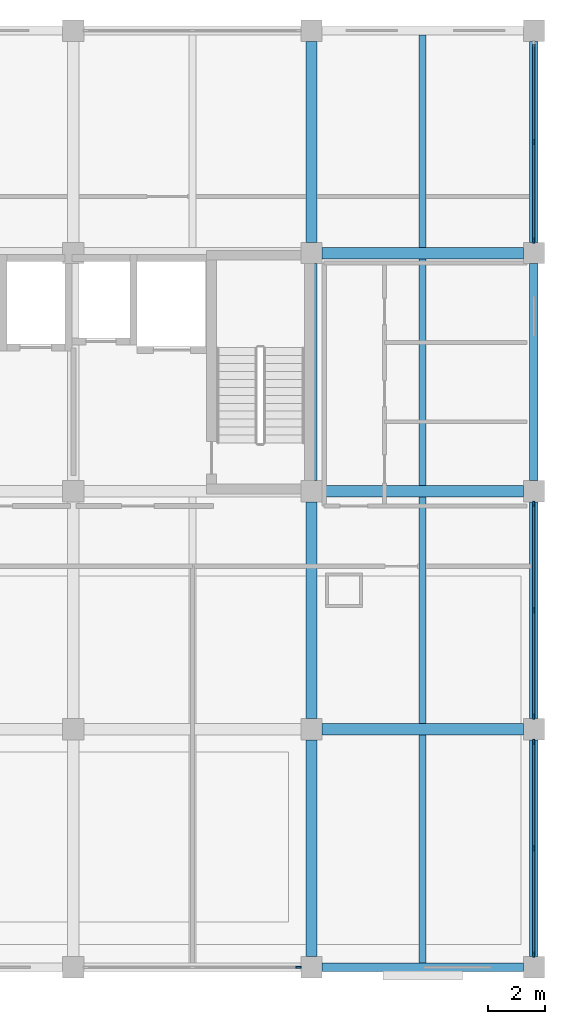
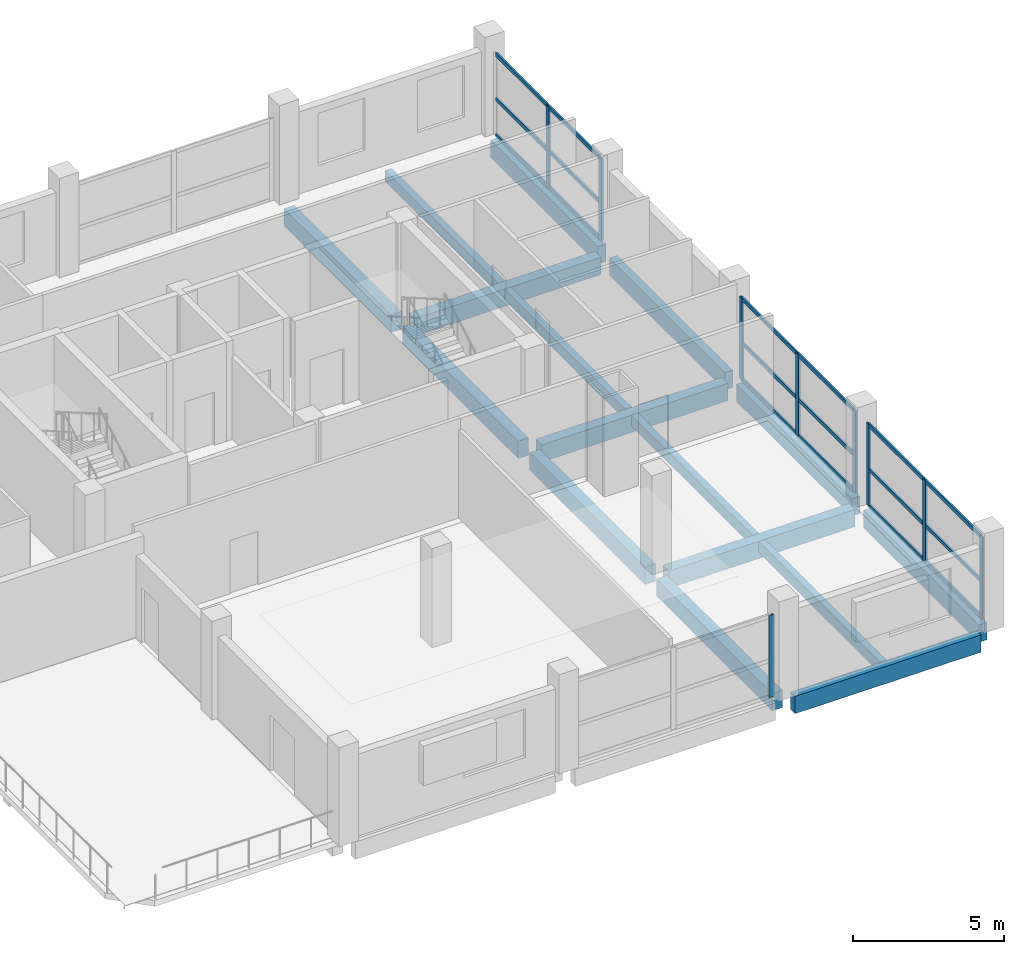
# One storey, part 4 of 10: 27 members, 16 beams, 4 elements without a shape of their own.
"""IFC4 building model written with IfcOpenShell, lengths in metres."""

from ifc_helpers import new_model, si_unit, direction, frame, origin, origin_2d, place, context, subcontext, project, spatial, rectangle, extrude, material, material_profile, profile_set, type_object, element, aggregate, save


model = new_model("IFC4")

# Units and contexts
model_context = context("Model", 3, precision=1e-05, world=origin(), true_north=direction((0.0, 1.0)))
body_context = subcontext(model_context, "Body", "Model", "MODEL_VIEW")
ifc_project = project(units=[si_unit("LENGTHUNIT", "METRE"), si_unit("AREAUNIT", "SQUARE_METRE"), si_unit("VOLUMEUNIT", "CUBIC_METRE"), si_unit("PLANEANGLEUNIT", "RADIAN"), si_unit("MASSUNIT", "GRAM", prefix="KILO")], contexts=[model_context])

# Site, building, storey
site_placement = place(None, origin())
site = spatial("IfcSite", under=ifc_project, at=site_placement, CompositionType="ELEMENT")
building_placement = place(site_placement, origin())
building = spatial("IfcBuilding", under=site, at=building_placement, Name="Brinegate Botanical Conservatory", CompositionType="ELEMENT")
storey_placement = place(building_placement, frame((0.0, 0.0, 44.39990234375)))
storey = spatial("IfcBuildingStorey", under=building, at=storey_placement, Name="L11", CompositionType="ELEMENT", Elevation=44.39990234375)

# Beams
ifc_material_1 = material(Name="Concrete C40/50", Category="concrete")
ifc_material_profile_1 = material_profile(ifc_material_1, rectangle(XDim=0.39990234375, YDim=0.699951171875, at=origin_2d()), Name="RC BM 400x700")
ifc_profile_set_1 = profile_set([ifc_material_profile_1], Name="Concrete C40/50")
beam_type_1 = type_object("IfcBeamType", Name="Beam_BM-T2", PredefinedType="BEAM", material=ifc_profile_set_1)
for number, where, z_axis, x_axis, name in (
    (1, (155.97509765625, 86.800048828125, -0.5498046875), (1.0, 0.0, 0.0), (0.0, 1.0, 0.0), "Beam BM-T2 L11 L:20-21"),
    (2, (155.97509765625, 95.199951171875, -0.5498046875), (1.0, 0.0, 0.0), (0.0, 1.0, 0.0), "Beam BM-T2 L11 M:20-21"),
    (3, (155.97509765625, 103.60009765625, -0.5498046875), (1.0, 0.0, 0.0), (0.0, 1.0, 0.0), "Beam BM-T2 L11 N:20-21"),
):
    element("IfcBeam", number, at=place(storey_placement, frame(where, z_axis=z_axis, x_axis=x_axis)), inside=storey, type_object=beam_type_1, Name=name, PredefinedType="BEAM", context=body_context, shape_type="SweptSolid", body=[
        extrude(rectangle(XDim=0.39990234375, YDim=0.699951171875, at=origin_2d()), origin(), (0.0, 0.0, 1.0), 7.099853515625),
    ])
beam_1_placement = place(storey_placement, frame((155.60009765625, 78.77490234375, -0.5498046875), z_axis=(0.0, 1.0, 0.0), x_axis=(-1.0, 0.0, 0.0)))
element("IfcBeam", 4, at=beam_1_placement, inside=storey, type_object=beam_type_1, Name="Beam BM-T2 L11 20:K-L", PredefinedType="BEAM", context=body_context, shape_type="SweptSolid", body=[
    extrude(rectangle(XDim=0.39990234375, YDim=0.699951171875, at=origin_2d()), origin(), (0.0, 0.0, 1.0), 7.650146484375),
])
beam_2_placement = place(storey_placement, frame((155.60009765625, 87.175048828125, -0.5498046875), z_axis=(0.0, 1.0, 0.0), x_axis=(-1.0, 0.0, 0.0)))
element("IfcBeam", 5, at=beam_2_placement, inside=storey, type_object=beam_type_1, Name="Beam BM-T2 L11 20:L-M", PredefinedType="BEAM", context=body_context, shape_type="SweptSolid", body=[
    extrude(rectangle(XDim=0.39990234375, YDim=0.699951171875, at=origin_2d()), origin(), (0.0, 0.0, 1.0), 7.64990234375),
])
beam_3_placement = place(storey_placement, frame((155.60009765625, 95.574951171875, -0.5498046875), z_axis=(0.0, 1.0, 0.0), x_axis=(-1.0, 0.0, 0.0)))
element("IfcBeam", 6, at=beam_3_placement, inside=storey, type_object=beam_type_1, Name="Beam BM-T2 L11 20:M-N", PredefinedType="BEAM", context=body_context, shape_type="SweptSolid", body=[
    extrude(rectangle(XDim=0.39990234375, YDim=0.699951171875, at=origin_2d()), origin(), (0.0, 0.0, 1.0), 7.650146484375),
])
beam_4_placement = place(storey_placement, frame((155.60009765625, 103.97509765625, -0.5498046875), z_axis=(0.0, 1.0, 0.0), x_axis=(-1.0, 0.0, 0.0)))
element("IfcBeam", 7, at=beam_4_placement, inside=storey, type_object=beam_type_1, Name="Beam BM-T2 L11 20:N-P", PredefinedType="BEAM", context=body_context, shape_type="SweptSolid", body=[
    extrude(rectangle(XDim=0.39990234375, YDim=0.699951171875, at=origin_2d()), origin(), (0.0, 0.0, 1.0), 7.099853515625),
])
ifc_material_profile_2 = material_profile(ifc_material_1, rectangle(XDim=0.25, YDim=0.449951171875, at=origin_2d()), Name="RC JST 250x450")
ifc_profile_set_2 = profile_set([ifc_material_profile_2], Name="Concrete C40/50")
beam_type_2 = type_object("IfcBeamType", Name="Beam_JS-C3", PredefinedType="JOIST", material=ifc_profile_set_2)
beam_5_placement = place(storey_placement, frame((159.52490234375, 78.550048828125, -0.4248046875), z_axis=(0.0, 1.0, 0.0), x_axis=(-1.0, 0.0, 0.0)))
element("IfcBeam", 8, at=beam_5_placement, inside=storey, type_object=beam_type_2, Name="Floor joist JS-C3 L11 bay 20.10", PredefinedType="JOIST", context=body_context, shape_type="SweptSolid", body=[
    extrude(rectangle(XDim=0.25, YDim=0.449951171875, at=origin_2d()), origin(), (0.0, 0.0, 1.0), 8.050048828125),
])
for number, where, z_axis, x_axis, name in (
    (9, (159.52490234375, 87.0, -0.4248046875), (0.0, 1.0, 0.0), (-1.0, 0.0, 0.0), "Floor joist JS-C3 L11 bay 20.11"),
    (10, (159.52490234375, 95.39990234375, -0.4248046875), (0.0, 1.0, 0.0), (-1.0, 0.0, 0.0), "Floor joist JS-C3 L11 bay 20.12"),
):
    element("IfcBeam", number, at=place(storey_placement, frame(where, z_axis=z_axis, x_axis=x_axis)), inside=storey, type_object=beam_type_2, Name=name, PredefinedType="JOIST", context=body_context, shape_type="SweptSolid", body=[
        extrude(rectangle(XDim=0.25, YDim=0.449951171875, at=origin_2d()), origin(), (0.0, 0.0, 1.0), 8.0),
    ])
beam_6_placement = place(storey_placement, frame((159.52490234375, 103.800048828125, -0.4248046875), z_axis=(0.0, 1.0, 0.0), x_axis=(-1.0, 0.0, 0.0)))
element("IfcBeam", 11, at=beam_6_placement, inside=storey, type_object=beam_type_2, Name="Floor joist JS-C3 L11 bay 20.13", PredefinedType="JOIST", context=body_context, shape_type="SweptSolid", body=[
    extrude(rectangle(XDim=0.25, YDim=0.449951171875, at=origin_2d()), origin(), (0.0, 0.0, 1.0), 7.5),
])
ifc_material_profile_3 = material_profile(ifc_material_1, rectangle(XDim=0.300048828125, YDim=0.699951171875, at=origin_2d()), Name="RC SPN 300x700")
ifc_profile_set_3 = profile_set([ifc_material_profile_3], Name="Concrete C40/50")
beam_type_3 = type_object("IfcBeamType", Name="Beam_SP-02", PredefinedType="SPANDREL", material=ifc_profile_set_3)
beam_7_placement = place(storey_placement, frame((155.97509765625, 78.39990234375, -0.5498046875), z_axis=(1.0, 0.0, 0.0), x_axis=(0.0, 1.0, 0.0)))
element("IfcBeam", 12, at=beam_7_placement, inside=storey, type_object=beam_type_3, Name="Beam SP-02 L11 K:20-21", PredefinedType="SPANDREL", context=body_context, shape_type="SweptSolid", body=[
    extrude(rectangle(XDim=0.300048828125, YDim=0.699951171875, at=origin_2d()), origin(), (0.0, 0.0, 1.0), 7.099853515625),
])
beam_8_placement = place(storey_placement, frame((163.449951171875, 78.77490234375, -0.5498046875), z_axis=(0.0, 1.0, 0.0), x_axis=(-1.0, 0.0, 0.0)))
element("IfcBeam", 13, at=beam_8_placement, inside=storey, type_object=beam_type_3, Name="Beam SP-02 L11 21:K-L", PredefinedType="SPANDREL", context=body_context, shape_type="SweptSolid", body=[
    extrude(rectangle(XDim=0.300048828125, YDim=0.699951171875, at=origin_2d()), origin(), (0.0, 0.0, 1.0), 7.650146484375),
])
beam_9_placement = place(storey_placement, frame((163.449951171875, 87.175048828125, -0.5498046875), z_axis=(0.0, 1.0, 0.0), x_axis=(-1.0, 0.0, 0.0)))
element("IfcBeam", 14, at=beam_9_placement, inside=storey, type_object=beam_type_3, Name="Beam SP-02 L11 21:L-M", PredefinedType="SPANDREL", context=body_context, shape_type="SweptSolid", body=[
    extrude(rectangle(XDim=0.300048828125, YDim=0.699951171875, at=origin_2d()), origin(), (0.0, 0.0, 1.0), 7.64990234375),
])
beam_10_placement = place(storey_placement, frame((163.449951171875, 95.574951171875, -0.5498046875), z_axis=(0.0, 1.0, 0.0), x_axis=(-1.0, 0.0, 0.0)))
element("IfcBeam", 15, at=beam_10_placement, inside=storey, type_object=beam_type_3, Name="Beam SP-02 L11 21:M-N", PredefinedType="SPANDREL", context=body_context, shape_type="SweptSolid", body=[
    extrude(rectangle(XDim=0.300048828125, YDim=0.699951171875, at=origin_2d()), origin(), (0.0, 0.0, 1.0), 7.650146484375),
])
beam_11_placement = place(storey_placement, frame((163.449951171875, 103.97509765625, -0.5498046875), z_axis=(0.0, 1.0, 0.0), x_axis=(-1.0, 0.0, 0.0)))
element("IfcBeam", 16, at=beam_11_placement, inside=storey, type_object=beam_type_3, Name="Beam SP-02 L11 21:N-P", PredefinedType="SPANDREL", context=body_context, shape_type="SweptSolid", body=[
    extrude(rectangle(XDim=0.300048828125, YDim=0.699951171875, at=origin_2d()), origin(), (0.0, 0.0, 1.0), 7.099853515625),
])

# Curtain wall, member
ifc_material_2 = material(Name="Thermally broken anodised aluminium AW-6063-T6", Category="aluminium")
curtain_wall_type = type_object("IfcCurtainWallType", Name="CW_CW-TW1", PredefinedType="USERDEFINED", material=ifc_material_2)
curtain_wall_1_placement = place(storey_placement, origin())
curtain_wall_1 = element("IfcCurtainWall", 17, at=curtain_wall_1_placement, inside=storey, type_object=curtain_wall_type, Name="Tower south curtain wall L11.2", ObjectType="FACTORY CURTAIN WALL", PredefinedType="USERDEFINED")
ifc_material_profile_4 = material_profile(ifc_material_2, rectangle(XDim=0.070068359375, YDim=0.199951171875, at=origin_2d()), Name="ALUM MULLION 70x200")
ifc_profile_set_4 = profile_set([ifc_material_profile_4], Name="Thermally broken anodised aluminium AW-6063-T6")
member_type_1 = type_object("IfcMemberType", Name="Member_ML-03", PredefinedType="MULLION", material=ifc_profile_set_4)
member_1_placement = place(storey_placement, frame((155.14990234375, 78.39990234375, 0.0), z_axis=(0.0, 0.0, 1.0), x_axis=(0.0, -1.0, 0.0)))
member_1 = element("IfcMember", 18, at=member_1_placement, type_object=member_type_1, Name="CW-TW1 mullion 1", PredefinedType="MULLION", context=body_context, shape_type="SweptSolid", body=[
    extrude(rectangle(XDim=0.070068359375, YDim=0.199951171875, at=origin_2d()), origin(), (0.0, 0.0, 1.0), 3.31005859375),
])
aggregate(curtain_wall_1, [member_1])

# Curtain wall, members
curtain_wall_2_placement = place(storey_placement, origin())
curtain_wall_2 = element("IfcCurtainWall", 19, at=curtain_wall_2_placement, inside=storey, type_object=curtain_wall_type, Name="Tower east curtain wall L11.1", ObjectType="FACTORY CURTAIN WALL", PredefinedType="USERDEFINED")
member_2_placement = place(storey_placement, frame((163.449951171875, 86.35009765625, 0.0), z_axis=(0.0, 0.0, 1.0), x_axis=(1.0, 0.0, 0.0)))
member_2 = element("IfcMember", 20, at=member_2_placement, type_object=member_type_1, Name="CW-TW1 mullion 1", PredefinedType="MULLION", context=body_context, shape_type="SweptSolid", body=[
    extrude(rectangle(XDim=0.070068359375, YDim=0.199951171875, at=origin_2d()), origin(), (0.0, 0.0, 1.0), 3.31005859375),
])
member_3_placement = place(storey_placement, frame((163.449951171875, 82.60009765625, 0.0), z_axis=(0.0, 0.0, 1.0), x_axis=(1.0, 0.0, 0.0)))
member_3 = element("IfcMember", 21, at=member_3_placement, type_object=member_type_1, Name="CW-TW1 mullion 2", PredefinedType="MULLION", context=body_context, shape_type="SweptSolid", body=[
    extrude(rectangle(XDim=0.070068359375, YDim=0.199951171875, at=origin_2d()), origin(), (0.0, 0.0, 1.0), 3.31005859375),
])
member_4_placement = place(storey_placement, frame((163.449951171875, 78.85009765625, 0.0), z_axis=(0.0, 0.0, 1.0), x_axis=(1.0, 0.0, 0.0)))
member_4 = element("IfcMember", 22, at=member_4_placement, type_object=member_type_1, Name="CW-TW1 mullion 3", PredefinedType="MULLION", context=body_context, shape_type="SweptSolid", body=[
    extrude(rectangle(XDim=0.070068359375, YDim=0.199951171875, at=origin_2d()), origin(), (0.0, 0.0, 1.0), 3.31005859375),
])

curtain_wall_3_placement = place(storey_placement, origin())
curtain_wall_3 = element("IfcCurtainWall", 23, at=curtain_wall_3_placement, inside=storey, type_object=curtain_wall_type, Name="Tower east curtain wall L11.2", ObjectType="FACTORY CURTAIN WALL", PredefinedType="USERDEFINED")
member_5_placement = place(storey_placement, frame((163.449951171875, 94.75, 0.0), z_axis=(0.0, 0.0, 1.0), x_axis=(1.0, 0.0, 0.0)))
member_5 = element("IfcMember", 24, at=member_5_placement, type_object=member_type_1, Name="CW-TW1 mullion 1", PredefinedType="MULLION", context=body_context, shape_type="SweptSolid", body=[
    extrude(rectangle(XDim=0.070068359375, YDim=0.199951171875, at=origin_2d()), origin(), (0.0, 0.0, 1.0), 3.31005859375),
])
member_6_placement = place(storey_placement, frame((163.449951171875, 91.0, 0.0), z_axis=(0.0, 0.0, 1.0), x_axis=(1.0, 0.0, 0.0)))
member_6 = element("IfcMember", 25, at=member_6_placement, type_object=member_type_1, Name="CW-TW1 mullion 2", PredefinedType="MULLION", context=body_context, shape_type="SweptSolid", body=[
    extrude(rectangle(XDim=0.070068359375, YDim=0.199951171875, at=origin_2d()), origin(), (0.0, 0.0, 1.0), 3.31005859375),
])
member_7_placement = place(storey_placement, frame((163.449951171875, 87.25, 0.0), z_axis=(0.0, 0.0, 1.0), x_axis=(1.0, 0.0, 0.0)))
member_7 = element("IfcMember", 26, at=member_7_placement, type_object=member_type_1, Name="CW-TW1 mullion 3", PredefinedType="MULLION", context=body_context, shape_type="SweptSolid", body=[
    extrude(rectangle(XDim=0.070068359375, YDim=0.199951171875, at=origin_2d()), origin(), (0.0, 0.0, 1.0), 3.31005859375),
])

curtain_wall_4_placement = place(storey_placement, origin())
curtain_wall_4 = element("IfcCurtainWall", 27, at=curtain_wall_4_placement, inside=storey, type_object=curtain_wall_type, Name="Tower east curtain wall L11.4", ObjectType="FACTORY CURTAIN WALL", PredefinedType="USERDEFINED")
member_8_placement = place(storey_placement, frame((163.449951171875, 107.52490234375, 0.0), z_axis=(0.0, 0.0, 1.0), x_axis=(1.0, 0.0, 0.0)))
member_8 = element("IfcMember", 28, at=member_8_placement, type_object=member_type_1, Name="CW-TW1 mullion 2", PredefinedType="MULLION", context=body_context, shape_type="SweptSolid", body=[
    extrude(rectangle(XDim=0.070068359375, YDim=0.199951171875, at=origin_2d()), origin(), (0.0, 0.0, 1.0), 3.31005859375),
])
member_9_placement = place(storey_placement, frame((163.449951171875, 104.050048828125, 0.0), z_axis=(0.0, 0.0, 1.0), x_axis=(1.0, 0.0, 0.0)))
member_9 = element("IfcMember", 29, at=member_9_placement, type_object=member_type_1, Name="CW-TW1 mullion 3", PredefinedType="MULLION", context=body_context, shape_type="SweptSolid", body=[
    extrude(rectangle(XDim=0.070068359375, YDim=0.199951171875, at=origin_2d()), origin(), (0.0, 0.0, 1.0), 3.31005859375),
])

# Member
ifc_material_profile_5 = material_profile(ifc_material_2, rectangle(XDim=0.070068359375, YDim=0.14990234375, at=origin_2d()), Name="ALUM TRANSOM 70x150")
ifc_profile_set_5 = profile_set([ifc_material_profile_5], Name="Thermally broken anodised aluminium AW-6063-T6")
member_type_2 = type_object("IfcMemberType", Name="Member_TR-03", PredefinedType="USERDEFINED", material=ifc_profile_set_5)
member_10_placement = place(storey_placement, frame((163.449951171875, 86.31494140625, 0.03515625), z_axis=(0.0, -1.0, 0.0), x_axis=(1.0, 0.0, 0.0)))
member_10 = element("IfcMember", 30, at=member_10_placement, type_object=member_type_2, Name="CW-TW1 transom 1.1", ObjectType="TRANSOM", PredefinedType="USERDEFINED", context=body_context, shape_type="SweptSolid", body=[
    extrude(rectangle(XDim=0.070068359375, YDim=0.14990234375, at=origin_2d()), origin(), (0.0, 0.0, 1.0), 3.679931640625),
])

member_11_placement = place(storey_placement, frame((163.449951171875, 86.31494140625, 1.489013671875), z_axis=(0.0, -1.0, 0.0), x_axis=(1.0, 0.0, 0.0)))
member_11 = element("IfcMember", 31, at=member_11_placement, type_object=member_type_2, Name="CW-TW1 transom 1.2", ObjectType="TRANSOM", PredefinedType="USERDEFINED", context=body_context, shape_type="SweptSolid", body=[
    extrude(rectangle(XDim=0.070068359375, YDim=0.14990234375, at=origin_2d()), origin(), (0.0, 0.0, 1.0), 3.679931640625),
])

member_12_placement = place(storey_placement, frame((163.449951171875, 86.31494140625, 3.275146484375), z_axis=(0.0, -1.0, 0.0), x_axis=(1.0, 0.0, 0.0)))
member_12 = element("IfcMember", 32, at=member_12_placement, type_object=member_type_2, Name="CW-TW1 transom 1.3", ObjectType="TRANSOM", PredefinedType="USERDEFINED", context=body_context, shape_type="SweptSolid", body=[
    extrude(rectangle(XDim=0.070068359375, YDim=0.14990234375, at=origin_2d()), origin(), (0.0, 0.0, 1.0), 3.679931640625),
])

member_13_placement = place(storey_placement, frame((163.449951171875, 82.56494140625, 0.03515625), z_axis=(0.0, -1.0, 0.0), x_axis=(1.0, 0.0, 0.0)))
member_13 = element("IfcMember", 33, at=member_13_placement, type_object=member_type_2, Name="CW-TW1 transom 2.1", ObjectType="TRANSOM", PredefinedType="USERDEFINED", context=body_context, shape_type="SweptSolid", body=[
    extrude(rectangle(XDim=0.070068359375, YDim=0.14990234375, at=origin_2d()), origin(), (0.0, 0.0, 1.0), 3.679931640625),
])

member_14_placement = place(storey_placement, frame((163.449951171875, 82.56494140625, 1.489013671875), z_axis=(0.0, -1.0, 0.0), x_axis=(1.0, 0.0, 0.0)))
member_14 = element("IfcMember", 34, at=member_14_placement, type_object=member_type_2, Name="CW-TW1 transom 2.2", ObjectType="TRANSOM", PredefinedType="USERDEFINED", context=body_context, shape_type="SweptSolid", body=[
    extrude(rectangle(XDim=0.070068359375, YDim=0.14990234375, at=origin_2d()), origin(), (0.0, 0.0, 1.0), 3.679931640625),
])

member_15_placement = place(storey_placement, frame((163.449951171875, 82.56494140625, 3.275146484375), z_axis=(0.0, -1.0, 0.0), x_axis=(1.0, 0.0, 0.0)))
member_15 = element("IfcMember", 35, at=member_15_placement, type_object=member_type_2, Name="CW-TW1 transom 2.3", ObjectType="TRANSOM", PredefinedType="USERDEFINED", context=body_context, shape_type="SweptSolid", body=[
    extrude(rectangle(XDim=0.070068359375, YDim=0.14990234375, at=origin_2d()), origin(), (0.0, 0.0, 1.0), 3.679931640625),
])

aggregate(curtain_wall_2, [member_2, member_3, member_4, member_10, member_11, member_12, member_13, member_14, member_15])

member_16_placement = place(storey_placement, frame((163.449951171875, 94.715087890625, 0.03515625), z_axis=(0.0, -1.0, 0.0), x_axis=(1.0, 0.0, 0.0)))
member_16 = element("IfcMember", 36, at=member_16_placement, type_object=member_type_2, Name="CW-TW1 transom 1.1", ObjectType="TRANSOM", PredefinedType="USERDEFINED", context=body_context, shape_type="SweptSolid", body=[
    extrude(rectangle(XDim=0.070068359375, YDim=0.14990234375, at=origin_2d()), origin(), (0.0, 0.0, 1.0), 3.68017578125),
])

member_17_placement = place(storey_placement, frame((163.449951171875, 94.715087890625, 1.489013671875), z_axis=(0.0, -1.0, 0.0), x_axis=(1.0, 0.0, 0.0)))
member_17 = element("IfcMember", 37, at=member_17_placement, type_object=member_type_2, Name="CW-TW1 transom 1.2", ObjectType="TRANSOM", PredefinedType="USERDEFINED", context=body_context, shape_type="SweptSolid", body=[
    extrude(rectangle(XDim=0.070068359375, YDim=0.14990234375, at=origin_2d()), origin(), (0.0, 0.0, 1.0), 3.68017578125),
])

member_18_placement = place(storey_placement, frame((163.449951171875, 94.715087890625, 3.275146484375), z_axis=(0.0, -1.0, 0.0), x_axis=(1.0, 0.0, 0.0)))
member_18 = element("IfcMember", 38, at=member_18_placement, type_object=member_type_2, Name="CW-TW1 transom 1.3", ObjectType="TRANSOM", PredefinedType="USERDEFINED", context=body_context, shape_type="SweptSolid", body=[
    extrude(rectangle(XDim=0.070068359375, YDim=0.14990234375, at=origin_2d()), origin(), (0.0, 0.0, 1.0), 3.68017578125),
])

member_19_placement = place(storey_placement, frame((163.449951171875, 90.965087890625, 0.03515625), z_axis=(0.0, -1.0, 0.0), x_axis=(1.0, 0.0, 0.0)))
member_19 = element("IfcMember", 39, at=member_19_placement, type_object=member_type_2, Name="CW-TW1 transom 2.1", ObjectType="TRANSOM", PredefinedType="USERDEFINED", context=body_context, shape_type="SweptSolid", body=[
    extrude(rectangle(XDim=0.070068359375, YDim=0.14990234375, at=origin_2d()), origin(), (0.0, 0.0, 1.0), 3.68017578125),
])

member_20_placement = place(storey_placement, frame((163.449951171875, 90.965087890625, 1.489013671875), z_axis=(0.0, -1.0, 0.0), x_axis=(1.0, 0.0, 0.0)))
member_20 = element("IfcMember", 40, at=member_20_placement, type_object=member_type_2, Name="CW-TW1 transom 2.2", ObjectType="TRANSOM", PredefinedType="USERDEFINED", context=body_context, shape_type="SweptSolid", body=[
    extrude(rectangle(XDim=0.070068359375, YDim=0.14990234375, at=origin_2d()), origin(), (0.0, 0.0, 1.0), 3.68017578125),
])

member_21_placement = place(storey_placement, frame((163.449951171875, 90.965087890625, 3.275146484375), z_axis=(0.0, -1.0, 0.0), x_axis=(1.0, 0.0, 0.0)))
member_21 = element("IfcMember", 41, at=member_21_placement, type_object=member_type_2, Name="CW-TW1 transom 2.3", ObjectType="TRANSOM", PredefinedType="USERDEFINED", context=body_context, shape_type="SweptSolid", body=[
    extrude(rectangle(XDim=0.070068359375, YDim=0.14990234375, at=origin_2d()), origin(), (0.0, 0.0, 1.0), 3.68017578125),
])

aggregate(curtain_wall_3, [member_5, member_6, member_7, member_16, member_17, member_18, member_19, member_20, member_21])

member_22_placement = place(storey_placement, frame((163.449951171875, 110.965087890625, 0.03515625), z_axis=(0.0, -1.0, 0.0), x_axis=(1.0, 0.0, 0.0)))
member_22 = element("IfcMember", 42, at=member_22_placement, type_object=member_type_2, Name="CW-TW1 transom 1.1", ObjectType="TRANSOM", PredefinedType="USERDEFINED", context=body_context, shape_type="SweptSolid", body=[
    extrude(rectangle(XDim=0.070068359375, YDim=0.14990234375, at=origin_2d()), origin(), (0.0, 0.0, 1.0), 3.405029296875),
])

member_23_placement = place(storey_placement, frame((163.449951171875, 110.965087890625, 1.489013671875), z_axis=(0.0, -1.0, 0.0), x_axis=(1.0, 0.0, 0.0)))
member_23 = element("IfcMember", 43, at=member_23_placement, type_object=member_type_2, Name="CW-TW1 transom 1.2", ObjectType="TRANSOM", PredefinedType="USERDEFINED", context=body_context, shape_type="SweptSolid", body=[
    extrude(rectangle(XDim=0.070068359375, YDim=0.14990234375, at=origin_2d()), origin(), (0.0, 0.0, 1.0), 3.405029296875),
])

member_24_placement = place(storey_placement, frame((163.449951171875, 110.965087890625, 3.275146484375), z_axis=(0.0, -1.0, 0.0), x_axis=(1.0, 0.0, 0.0)))
member_24 = element("IfcMember", 44, at=member_24_placement, type_object=member_type_2, Name="CW-TW1 transom 1.3", ObjectType="TRANSOM", PredefinedType="USERDEFINED", context=body_context, shape_type="SweptSolid", body=[
    extrude(rectangle(XDim=0.070068359375, YDim=0.14990234375, at=origin_2d()), origin(), (0.0, 0.0, 1.0), 3.405029296875),
])

member_25_placement = place(storey_placement, frame((163.449951171875, 107.489990234375, 0.03515625), z_axis=(0.0, -1.0, 0.0), x_axis=(1.0, 0.0, 0.0)))
member_25 = element("IfcMember", 45, at=member_25_placement, type_object=member_type_2, Name="CW-TW1 transom 2.1", ObjectType="TRANSOM", PredefinedType="USERDEFINED", context=body_context, shape_type="SweptSolid", body=[
    extrude(rectangle(XDim=0.070068359375, YDim=0.14990234375, at=origin_2d()), origin(), (0.0, 0.0, 1.0), 3.405029296875),
])

member_26_placement = place(storey_placement, frame((163.449951171875, 107.489990234375, 1.489013671875), z_axis=(0.0, -1.0, 0.0), x_axis=(1.0, 0.0, 0.0)))
member_26 = element("IfcMember", 46, at=member_26_placement, type_object=member_type_2, Name="CW-TW1 transom 2.2", ObjectType="TRANSOM", PredefinedType="USERDEFINED", context=body_context, shape_type="SweptSolid", body=[
    extrude(rectangle(XDim=0.070068359375, YDim=0.14990234375, at=origin_2d()), origin(), (0.0, 0.0, 1.0), 3.405029296875),
])

member_27_placement = place(storey_placement, frame((163.449951171875, 107.489990234375, 3.275146484375), z_axis=(0.0, -1.0, 0.0), x_axis=(1.0, 0.0, 0.0)))
member_27 = element("IfcMember", 47, at=member_27_placement, type_object=member_type_2, Name="CW-TW1 transom 2.3", ObjectType="TRANSOM", PredefinedType="USERDEFINED", context=body_context, shape_type="SweptSolid", body=[
    extrude(rectangle(XDim=0.070068359375, YDim=0.14990234375, at=origin_2d()), origin(), (0.0, 0.0, 1.0), 3.405029296875),
])

aggregate(curtain_wall_4, [member_8, member_9, member_22, member_23, member_24, member_25, member_26, member_27])

save(model, "model.ifc")
